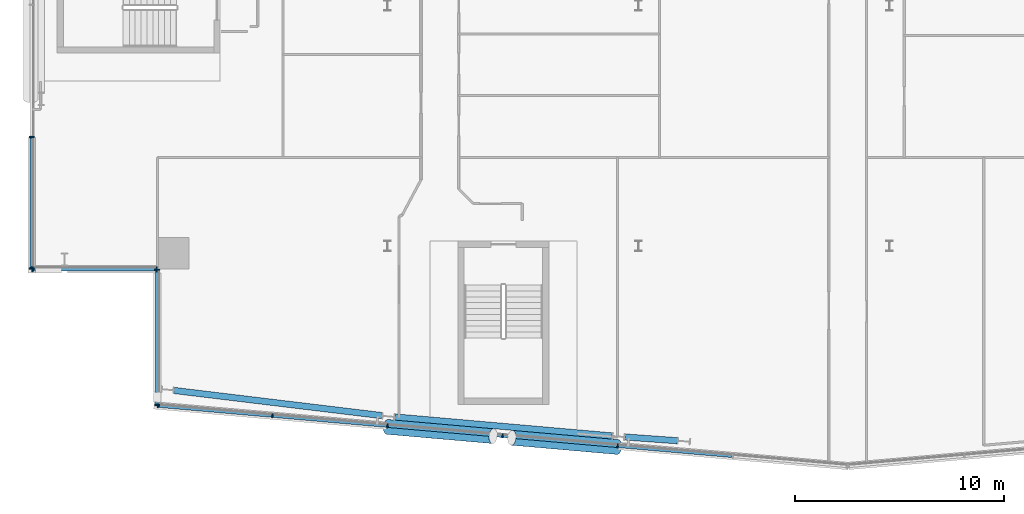
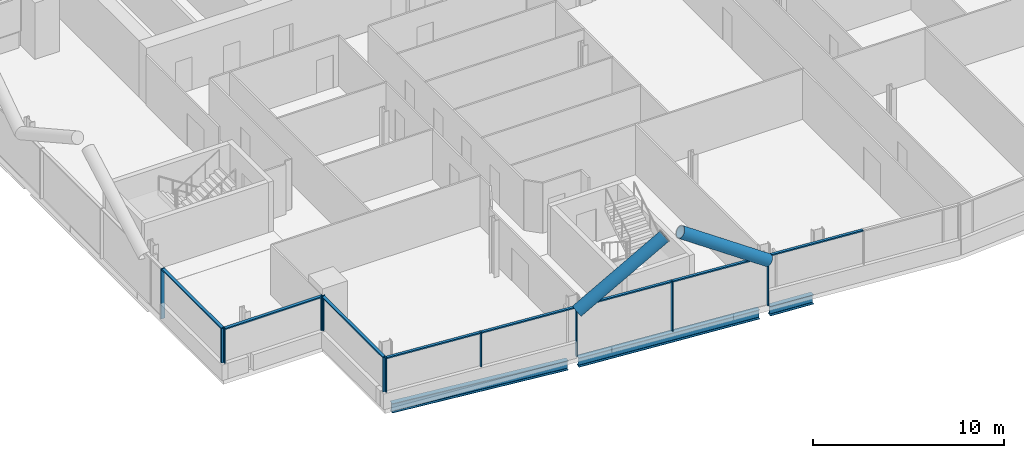
# One storey, part 6 of 26: 21 members, 3 beams, 4 elements without a shape of their own.
"""IFC4 building model written with IfcOpenShell, lengths in metres."""

from ifc_helpers import new_model, si_unit, direction, frame, origin, origin_2d, place, context, subcontext, project, spatial, rectangle, hollow_circle, i_section, extrude, material, material_profile, profile_set, type_object, element, aggregate, save


model = new_model("IFC4")

# Units and contexts
model_context = context("Model", 3, precision=1e-05, world=origin(), true_north=direction((0.0, 1.0)))
body_context = subcontext(model_context, "Body", "Model", "MODEL_VIEW")
ifc_project = project(units=[si_unit("LENGTHUNIT", "METRE"), si_unit("AREAUNIT", "SQUARE_METRE"), si_unit("VOLUMEUNIT", "CUBIC_METRE"), si_unit("PLANEANGLEUNIT", "RADIAN"), si_unit("MASSUNIT", "GRAM", prefix="KILO")], contexts=[model_context])

# Site, building, storey
site_placement = place(None, origin())
site = spatial("IfcSite", under=ifc_project, at=site_placement, CompositionType="ELEMENT")
building_placement = place(site_placement, origin())
building = spatial("IfcBuilding", under=site, at=building_placement, Name="Wharfspan Tower", CompositionType="ELEMENT")
storey_placement = place(building_placement, frame((0.0, 0.0, 169.899902)))
storey = spatial("IfcBuildingStorey", under=building, at=storey_placement, Name="L41", CompositionType="ELEMENT", Elevation=169.899902)

# Beams
ifc_material_1 = material(Name="Steel S355J2", Category="steel")
ifc_material_profile_1 = material_profile(ifc_material_1, i_section(OverallWidth=0.300049, OverallDepth=0.600098, WebThickness=0.015381, FlangeThickness=0.030029, FilletRadius=0.0271, at=origin_2d()))
ifc_profile_set_1 = profile_set([ifc_material_profile_1], Name="Steel S355J2")
beam_type = type_object("IfcBeamType", Name="Edge beam HEB 600", PredefinedType="SPANDREL", material=ifc_profile_set_1)
beam_1_placement = place(storey_placement, frame((13.794678, 4.600586, -0.699951), z_axis=(0.992758, -0.12013, 0.0), x_axis=(0.12013, 0.992758, 0.0)))
element("IfcBeam", 1, at=beam_1_placement, inside=storey, type_object=beam_type, Name="Edge beam S1 L41 PS1.1 to PS1.2", PredefinedType="SPANDREL", context=body_context, shape_type="SweptSolid", body=[
    extrude(i_section(OverallWidth=0.300049, OverallDepth=0.600098, WebThickness=0.015381, FlangeThickness=0.030029, FilletRadius=0.0271, at=origin_2d()), origin(), (0.0, 0.0, 1.0), 10.013184),
])
beam_2_placement = place(storey_placement, frame((24.343994, 3.334229, -0.699951), z_axis=(0.996196, -0.087146, 0.0), x_axis=(0.087146, 0.996196, 0.0)))
element("IfcBeam", 2, at=beam_2_placement, inside=storey, type_object=beam_type, Name="Edge beam S1 L41 PS1.2 to PS1.3", PredefinedType="SPANDREL", context=body_context, shape_type="SweptSolid", body=[
    extrude(i_section(OverallWidth=0.300049, OverallDepth=0.600098, WebThickness=0.015381, FlangeThickness=0.030029, FilletRadius=0.0271, at=origin_2d()), origin(), (0.0, 0.0, 1.0), 10.430176),
])
beam_3_placement = place(storey_placement, frame((35.344482, 2.376709, -0.699951), z_axis=(0.997423, -0.07175, 0.0), x_axis=(0.07175, 0.997423, 0.0)))
element("IfcBeam", 3, at=beam_3_placement, inside=storey, type_object=beam_type, Name="Edge beam S1 L41 PS1.3 to PS1.4", PredefinedType="SPANDREL", context=body_context, shape_type="SweptSolid", body=[
    extrude(i_section(OverallWidth=0.300049, OverallDepth=0.600098, WebThickness=0.015381, FlangeThickness=0.030029, FilletRadius=0.0271, at=origin_2d()), origin(), (0.0, 0.0, 1.0), 2.518066),
])

# Curtain wall, members
ifc_material_2 = material(Name="Aluminium 6063-T6", Category="aluminium")
curtain_wall_type_1 = type_object("IfcCurtainWallType", Name="CURTAIN WALL FACETED FRONT", PredefinedType="NOTDEFINED", material=ifc_material_2)
curtain_wall_1_placement = place(storey_placement, origin())
curtain_wall_1 = element("IfcCurtainWall", 4, at=curtain_wall_1_placement, inside=storey, type_object=curtain_wall_type_1, Name="Curtain wall S1", PredefinedType="NOTDEFINED")
ifc_material_profile_2 = material_profile(ifc_material_2, rectangle(XDim=0.199951, YDim=0.060059, at=origin_2d()))
ifc_profile_set_2 = profile_set([ifc_material_profile_2], Name="Aluminium 6063-T6")
member_type_1 = type_object("IfcMemberType", Name="MULLION FACETED FRONT 60x200", PredefinedType="MULLION", material=ifc_profile_set_2)
member_1_placement = place(storey_placement, frame((13.029785, 3.872559, 1.0), z_axis=(0.0, 0.0, 1.0), x_axis=(0.087156, 0.996198, 0.0)))
member_1 = element("IfcMember", 5, at=member_1_placement, type_object=member_type_1, Name="Curtain wall S1 mullion 1", PredefinedType="MULLION", context=body_context, shape_type="SweptSolid", body=[
    extrude(rectangle(XDim=0.199951, YDim=0.060059, at=origin_2d()), origin(), (0.0, 0.0, 1.0), 2.200195),
])
member_2_placement = place(storey_placement, frame((18.5, 3.393799, 1.0), z_axis=(0.0, 0.0, 1.0), x_axis=(0.087156, 0.996198, 0.0)))
member_2 = element("IfcMember", 6, at=member_2_placement, type_object=member_type_1, Name="Curtain wall S1 mullion 2", PredefinedType="MULLION", context=body_context, shape_type="SweptSolid", body=[
    extrude(rectangle(XDim=0.199951, YDim=0.060059, at=origin_2d()), origin(), (0.0, 0.0, 1.0), 2.200195),
])
member_3_placement = place(storey_placement, frame((24.0, 2.912598, 0.0), z_axis=(0.0, 0.0, 1.0), x_axis=(0.087156, 0.996198, 0.0)))
member_3 = element("IfcMember", 7, at=member_3_placement, type_object=member_type_1, Name="Curtain wall S1 mullion 3", PredefinedType="MULLION", context=body_context, shape_type="SweptSolid", body=[
    extrude(rectangle(XDim=0.199951, YDim=0.060059, at=origin_2d()), origin(), (0.0, 0.0, 1.0), 3.200195),
])
member_4_placement = place(storey_placement, frame((29.5, 2.431396, 0.0), z_axis=(0.0, 0.0, 1.0), x_axis=(0.087156, 0.996198, 0.0)))
member_4 = element("IfcMember", 8, at=member_4_placement, type_object=member_type_1, Name="Curtain wall S1 mullion 4", PredefinedType="MULLION", context=body_context, shape_type="SweptSolid", body=[
    extrude(rectangle(XDim=0.199951, YDim=0.060059, at=origin_2d()), origin(), (0.0, 0.0, 1.0), 3.200195),
])
member_5_placement = place(storey_placement, frame((35.0, 1.950195, 0.0), z_axis=(0.0, 0.0, 1.0), x_axis=(0.087156, 0.996198, 0.0)))
member_5 = element("IfcMember", 9, at=member_5_placement, type_object=member_type_1, Name="Curtain wall S1 mullion 5", PredefinedType="MULLION", context=body_context, shape_type="SweptSolid", body=[
    extrude(rectangle(XDim=0.199951, YDim=0.060059, at=origin_2d()), origin(), (0.0, 0.0, 1.0), 3.200195),
])

curtain_wall_type_2 = type_object("IfcCurtainWallType", Name="CURTAIN WALL PROW AND END", PredefinedType="NOTDEFINED", material=ifc_material_2)
curtain_wall_2_placement = place(storey_placement, origin())
curtain_wall_2 = element("IfcCurtainWall", 10, at=curtain_wall_2_placement, inside=storey, type_object=curtain_wall_type_2, Name="Curtain wall W", PredefinedType="NOTDEFINED")
ifc_material_profile_3 = material_profile(ifc_material_2, rectangle(XDim=0.23999, YDim=0.060059, at=origin_2d()))
ifc_profile_set_3 = profile_set([ifc_material_profile_3], Name="Aluminium 6063-T6")
member_type_2 = type_object("IfcMemberType", Name="MULLION PROW AND END 60x240", PredefinedType="MULLION", material=ifc_profile_set_3)
member_6_placement = place(storey_placement, frame((7.0, 16.719971, 0.0), z_axis=(0.0, 0.0, 1.0), x_axis=(1.0, 0.0, 0.0)))
member_6 = element("IfcMember", 11, at=member_6_placement, type_object=member_type_2, Name="Curtain wall W mullion 5", PredefinedType="MULLION", context=body_context, shape_type="SweptSolid", body=[
    extrude(rectangle(XDim=0.23999, YDim=0.060059, at=origin_2d()), origin(), (0.0, 0.0, 1.0), 3.200195),
])
member_7_placement = place(storey_placement, frame((7.0, 10.429932, 1.0), z_axis=(0.0, 0.0, 1.0), x_axis=(1.0, 0.0, 0.0)))
member_7 = element("IfcMember", 12, at=member_7_placement, type_object=member_type_2, Name="Curtain wall W mullion 6", PredefinedType="MULLION", context=body_context, shape_type="SweptSolid", body=[
    extrude(rectangle(XDim=0.23999, YDim=0.060059, at=origin_2d()), origin(), (0.0, 0.0, 1.0), 2.200195),
])

curtain_wall_3_placement = place(storey_placement, origin())
curtain_wall_3 = element("IfcCurtainWall", 13, at=curtain_wall_3_placement, inside=storey, type_object=curtain_wall_type_2, Name="Curtain wall NFW-H", PredefinedType="NOTDEFINED")
member_8_placement = place(storey_placement, frame((7.030029, 10.399902, 1.0), z_axis=(0.0, 0.0, 1.0), x_axis=(0.0, 1.0, 0.0)))
member_8 = element("IfcMember", 14, at=member_8_placement, type_object=member_type_2, Name="Curtain wall NFW-H mullion 1", PredefinedType="MULLION", context=body_context, shape_type="SweptSolid", body=[
    extrude(rectangle(XDim=0.23999, YDim=0.060059, at=origin_2d()), origin(), (0.0, 0.0, 1.0), 2.200195),
])
member_9_placement = place(storey_placement, frame((12.969971, 10.399902, 1.0), z_axis=(0.0, 0.0, 1.0), x_axis=(0.0, 1.0, 0.0)))
member_9 = element("IfcMember", 15, at=member_9_placement, type_object=member_type_2, Name="Curtain wall NFW-H mullion 2", PredefinedType="MULLION", context=body_context, shape_type="SweptSolid", body=[
    extrude(rectangle(XDim=0.23999, YDim=0.060059, at=origin_2d()), origin(), (0.0, 0.0, 1.0), 2.200195),
])

curtain_wall_4_placement = place(storey_placement, origin())
curtain_wall_4 = element("IfcCurtainWall", 16, at=curtain_wall_4_placement, inside=storey, type_object=curtain_wall_type_2, Name="Curtain wall NFW-V", PredefinedType="NOTDEFINED")
member_10_placement = place(storey_placement, frame((13.0, 10.370117, 1.0), z_axis=(0.0, 0.0, 1.0), x_axis=(1.0, 0.0, 0.0)))
member_10 = element("IfcMember", 17, at=member_10_placement, type_object=member_type_2, Name="Curtain wall NFW-V mullion 1", PredefinedType="MULLION", context=body_context, shape_type="SweptSolid", body=[
    extrude(rectangle(XDim=0.23999, YDim=0.060059, at=origin_2d()), origin(), (0.0, 0.0, 1.0), 2.200195),
])
member_11_placement = place(storey_placement, frame((13.0, 3.905029, 1.0), z_axis=(0.0, 0.0, 1.0), x_axis=(1.0, 0.0, 0.0)))
member_11 = element("IfcMember", 18, at=member_11_placement, type_object=member_type_2, Name="Curtain wall NFW-V mullion 2", PredefinedType="MULLION", context=body_context, shape_type="SweptSolid", body=[
    extrude(rectangle(XDim=0.23999, YDim=0.060059, at=origin_2d()), origin(), (0.0, 0.0, 1.0), 2.200195),
])

# Members
ifc_material_3 = material(Name="Steel S460NH", Category="steel")
ifc_material_profile_4 = material_profile(ifc_material_3, hollow_circle(Radius=0.355469, WallThickness=0.035889, at=origin_2d()))
ifc_profile_set_4 = profile_set([ifc_material_profile_4], Name="Steel S460NH")
member_type_3 = type_object("IfcMemberType", Name="Mega brace CHS 711x36", PredefinedType="BRACE", material=ifc_profile_set_4)
for number, where, z_axis, x_axis, name in (
    (19, (23.995117, 2.85791, 2.900146), (0.834469, -0.073006, 0.546197), (0.087156, 0.996198, -1e-06), "Mega brace S1 L42 part 1"),
    (20, (34.995117, 1.895508, 2.900146), (-0.834469, 0.073006, 0.546197), (-0.087156, -0.996198, -1e-06), "Mega brace S1 L42 part 3"),
):
    element("IfcMember", number, at=place(storey_placement, frame(where, z_axis=z_axis, x_axis=x_axis)), inside=storey, type_object=member_type_3, Name=name, PredefinedType="BRACE", context=body_context, shape_type="SweptSolid", body=[
        extrude(hollow_circle(Radius=0.355469, WallThickness=0.035889, at=origin_2d()), origin(), (0.0, 0.0, 1.0), 6.049561),
    ])

# Member
ifc_material_profile_5 = material_profile(ifc_material_2, rectangle(XDim=0.159912, YDim=0.080078, at=origin_2d()))
ifc_profile_set_5 = profile_set([ifc_material_profile_5], Name="Aluminium 6063-T6")
member_type_4 = type_object("IfcMemberType", Name="TRANSOM FACETED FRONT 80x160", PredefinedType="USERDEFINED", material=ifc_profile_set_5)
member_12_placement = place(storey_placement, frame((13.059814, 3.869873, 3.160156), z_axis=(0.996194, -0.087163, 0.0), x_axis=(0.087163, 0.996194, 0.0)))
member_12 = element("IfcMember", 21, at=member_12_placement, type_object=member_type_4, Name="Curtain wall S1 transom 1", ObjectType="TRANSOM", PredefinedType="USERDEFINED", context=body_context, shape_type="SweptSolid", body=[
    extrude(rectangle(XDim=0.159912, YDim=0.080078, at=origin_2d()), origin(), (0.0, 0.0, 1.0), 5.431152),
])

member_13_placement = place(storey_placement, frame((18.529785, 3.391357, 3.160156), z_axis=(0.996193, -0.087174, 0.0), x_axis=(0.087174, 0.996193, 0.0)))
member_13 = element("IfcMember", 22, at=member_13_placement, type_object=member_type_4, Name="Curtain wall S1 transom 2", ObjectType="TRANSOM", PredefinedType="USERDEFINED", context=body_context, shape_type="SweptSolid", body=[
    extrude(rectangle(XDim=0.159912, YDim=0.080078, at=origin_2d()), origin(), (0.0, 0.0, 1.0), 5.461182),
])

member_14_placement = place(storey_placement, frame((24.029785, 2.910156, 3.160156), z_axis=(0.996193, -0.087174, 0.0), x_axis=(0.087174, 0.996193, 0.0)))
member_14 = element("IfcMember", 23, at=member_14_placement, type_object=member_type_4, Name="Curtain wall S1 transom 3", ObjectType="TRANSOM", PredefinedType="USERDEFINED", context=body_context, shape_type="SweptSolid", body=[
    extrude(rectangle(XDim=0.159912, YDim=0.080078, at=origin_2d()), origin(), (0.0, 0.0, 1.0), 5.461182),
])

member_15_placement = place(storey_placement, frame((29.529785, 2.428955, 3.160156), z_axis=(0.996193, -0.087174, 0.0), x_axis=(0.087174, 0.996193, 0.0)))
member_15 = element("IfcMember", 24, at=member_15_placement, type_object=member_type_4, Name="Curtain wall S1 transom 4", ObjectType="TRANSOM", PredefinedType="USERDEFINED", context=body_context, shape_type="SweptSolid", body=[
    extrude(rectangle(XDim=0.159912, YDim=0.080078, at=origin_2d()), origin(), (0.0, 0.0, 1.0), 5.461182),
])

member_16_placement = place(storey_placement, frame((35.029785, 1.947754, 3.160156), z_axis=(0.996193, -0.087174, 0.0), x_axis=(0.087174, 0.996193, 0.0)))
member_16 = element("IfcMember", 25, at=member_16_placement, type_object=member_type_4, Name="Curtain wall S1 transom 5", ObjectType="TRANSOM", PredefinedType="USERDEFINED", context=body_context, shape_type="SweptSolid", body=[
    extrude(rectangle(XDim=0.159912, YDim=0.080078, at=origin_2d()), origin(), (0.0, 0.0, 1.0), 5.461182),
])

aggregate(curtain_wall_1, [member_1, member_2, member_3, member_4, member_5, member_12, member_13, member_14, member_15, member_16])

ifc_material_profile_6 = material_profile(ifc_material_2, rectangle(XDim=0.179932, YDim=0.080078, at=origin_2d()))
ifc_profile_set_6 = profile_set([ifc_material_profile_6], Name="Aluminium 6063-T6")
member_type_5 = type_object("IfcMemberType", Name="TRANSOM PROW AND END 80x180", PredefinedType="USERDEFINED", material=ifc_profile_set_6)
member_17_placement = place(storey_placement, frame((7.0, 16.689941, 3.160156), z_axis=(0.0, -1.0, 0.0), x_axis=(1.0, 0.0, 0.0)))
member_17 = element("IfcMember", 26, at=member_17_placement, type_object=member_type_5, Name="Curtain wall W transom 5", ObjectType="TRANSOM", PredefinedType="USERDEFINED", context=body_context, shape_type="SweptSolid", body=[
    extrude(rectangle(XDim=0.179932, YDim=0.080078, at=origin_2d()), origin(), (0.0, 0.0, 1.0), 6.22998),
])

aggregate(curtain_wall_2, [member_6, member_7, member_17])

member_18_placement = place(storey_placement, frame((7.060059, 10.399902, 3.160156), z_axis=(1.0, 0.0, 0.0), x_axis=(0.0, 1.0, 0.0)))
member_18 = element("IfcMember", 27, at=member_18_placement, type_object=member_type_5, Name="Curtain wall NFW-H transom 1", ObjectType="TRANSOM", PredefinedType="USERDEFINED", context=body_context, shape_type="SweptSolid", body=[
    extrude(rectangle(XDim=0.179932, YDim=0.080078, at=origin_2d()), origin(), (0.0, 0.0, 1.0), 5.879883),
])

aggregate(curtain_wall_3, [member_8, member_9, member_18])

member_19_placement = place(storey_placement, frame((13.0, 10.340088, 3.160156), z_axis=(0.0, -1.0, 0.0), x_axis=(1.0, 0.0, 0.0)))
member_19 = element("IfcMember", 28, at=member_19_placement, type_object=member_type_5, Name="Curtain wall NFW-V transom 1", ObjectType="TRANSOM", PredefinedType="USERDEFINED", context=body_context, shape_type="SweptSolid", body=[
    extrude(rectangle(XDim=0.179932, YDim=0.080078, at=origin_2d()), origin(), (0.0, 0.0, 1.0), 6.405029),
])

aggregate(curtain_wall_4, [member_10, member_11, member_19])

save(model, "model.ifc")
